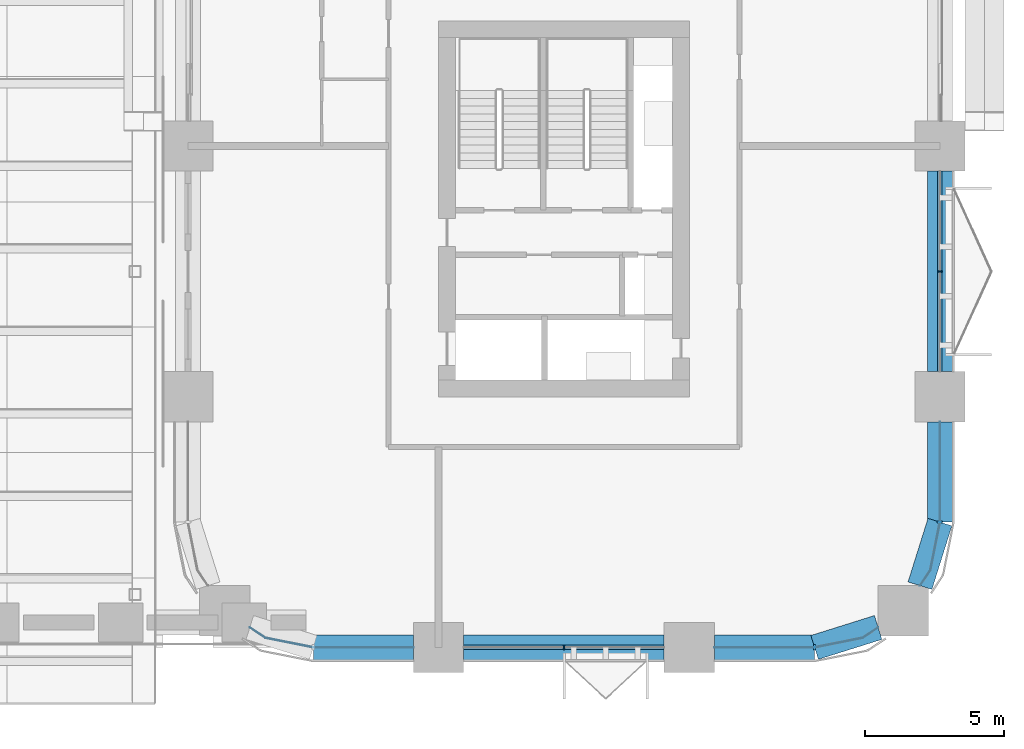
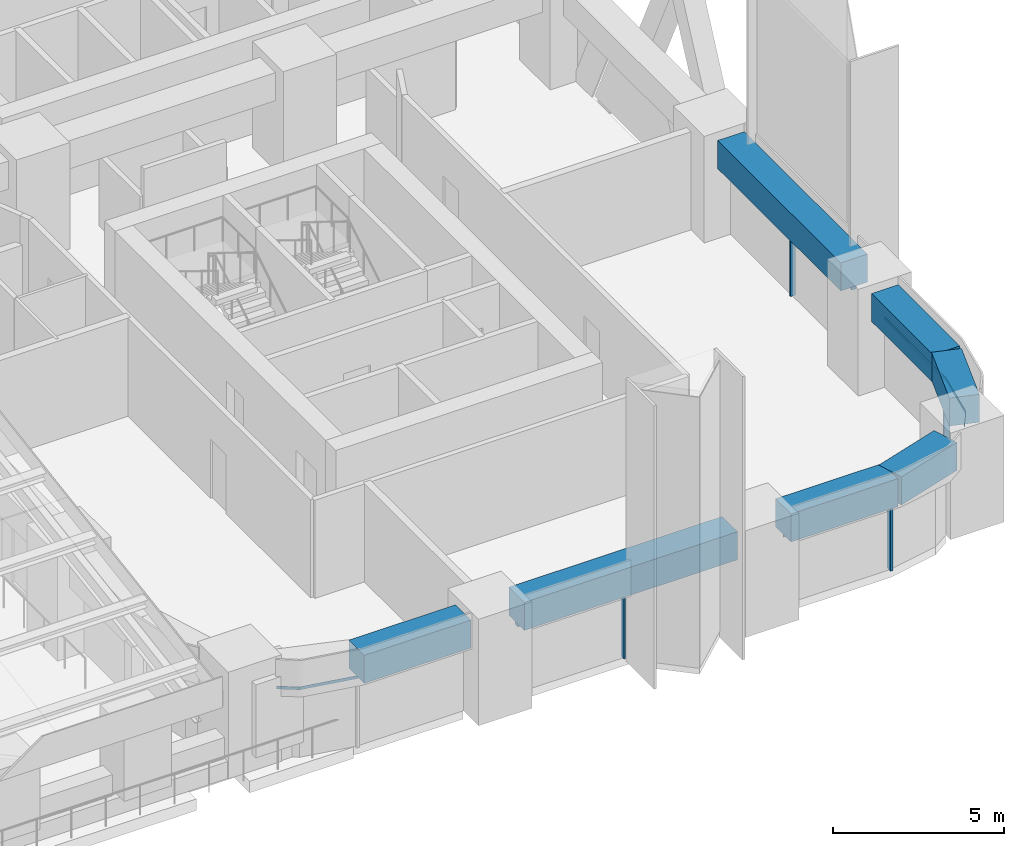
# One storey, part 4 of 22: 9 members, 7 beams, 5 elements without a shape of their own.
"""IFC4 building model written with IfcOpenShell, lengths in metres."""

from ifc_helpers import new_model, si_unit, direction, frame, origin, origin_2d, place, context, subcontext, project, spatial, polyline, rectangle, outline, extrude, material, material_profile, profile_set, type_object, element, aggregate, save


model = new_model("IFC4")

# Units and contexts
model_context = context("Model", 3, precision=1e-05, world=origin(), true_north=direction((0.0, 1.0)))
body_context = subcontext(model_context, "Body", "Model", "MODEL_VIEW")
ifc_project = project(units=[si_unit("LENGTHUNIT", "METRE"), si_unit("AREAUNIT", "SQUARE_METRE"), si_unit("VOLUMEUNIT", "CUBIC_METRE"), si_unit("PLANEANGLEUNIT", "RADIAN"), si_unit("MASSUNIT", "GRAM", prefix="KILO")], contexts=[model_context])

# Site, building, storey
site_placement = place(None, origin())
site = spatial("IfcSite", under=ifc_project, at=site_placement, CompositionType="ELEMENT")
building_placement = place(site_placement, origin())
building = spatial("IfcBuilding", under=site, at=building_placement, Name="Tessera Arch", CompositionType="ELEMENT")
storey_placement = place(building_placement, frame((0.0, 0.0, 77.800048828125)))
storey = spatial("IfcBuildingStorey", under=building, at=storey_placement, Name="L17", CompositionType="ELEMENT", Elevation=77.800048828125)

# Curtain wall, member
ifc_material_1 = material(Name="CW1 curtain wall")
curtain_wall_type_1 = type_object("IfcCurtainWallType", Name="CW1 curtain wall", PredefinedType="NOTDEFINED", material=ifc_material_1)
curtain_wall_1_placement = place(storey_placement, origin())
curtain_wall_1 = element("IfcCurtainWall", 1, at=curtain_wall_1_placement, inside=storey, type_object=curtain_wall_type_1, Name="CW1 curtain wall S0.27/1 L17", PredefinedType="NOTDEFINED")
ifc_material_2 = material(Name="Anodised aluminium pale metal", Category="aluminium")
ifc_material_profile_1 = material_profile(ifc_material_2, rectangle(XDim=0.159912109375, YDim=0.06005859375, at=origin_2d()), Name="AL 60x160")
ifc_profile_set_1 = profile_set([ifc_material_profile_1], Name="Anodised aluminium pale metal")
member_type_1 = type_object("IfcMemberType", Name="CW1 mullion", PredefinedType="MULLION", material=ifc_profile_set_1)
member_1_placement = place(storey_placement, frame((40.5, 0.0, 0.0), z_axis=(0.0, 0.0, 1.0), x_axis=(0.0, 1.0, 0.0)))
member_1 = element("IfcMember", 2, at=member_1_placement, type_object=member_type_1, Name="CW1 mullion S0.27/1 1", PredefinedType="MULLION", context=body_context, shape_type="SweptSolid", body=[
    extrude(rectangle(XDim=0.159912109375, YDim=0.06005859375, at=origin_2d()), origin(), (0.0, 0.0, 1.0), 2.39990234375),
])

curtain_wall_2_placement = place(storey_placement, origin())
curtain_wall_2 = element("IfcCurtainWall", 3, at=curtain_wall_2_placement, inside=storey, type_object=curtain_wall_type_1, Name="CW1 curtain wall E54.0/1 L17", PredefinedType="NOTDEFINED")
member_2_placement = place(storey_placement, frame((54.0, 13.5, 0.0), z_axis=(0.0, 0.0, 1.0), x_axis=(-1.0, 0.0, 0.0)))
member_2 = element("IfcMember", 4, at=member_2_placement, type_object=member_type_1, Name="CW1 mullion E54.0/1 1", PredefinedType="MULLION", context=body_context, shape_type="SweptSolid", body=[
    extrude(rectangle(XDim=0.159912109375, YDim=0.06005859375, at=origin_2d()), origin(), (0.0, 0.0, 1.0), 2.39990234375),
])

# Member
ifc_material_3 = material(Name="Anodised aluminium pale metal", Category="aluminium")
ifc_material_profile_2 = material_profile(ifc_material_3, rectangle(XDim=0.159912109375, YDim=0.10009765625, at=origin_2d()), Name="AL 160x100")
ifc_profile_set_2 = profile_set([ifc_material_profile_2], Name="Anodised aluminium pale metal")
member_type_2 = type_object("IfcMemberType", Name="CW1 transom", PredefinedType="USERDEFINED", material=ifc_profile_set_2)
member_3_placement = place(storey_placement, frame((36.89990234375, 0.0, 2.449951171875), z_axis=(1.0, 0.0, 0.0), x_axis=(0.0, 1.0, 0.0)))
member_3 = element("IfcMember", 5, at=member_3_placement, type_object=member_type_2, Name="CW1 transom S0.27/1 1.1", ObjectType="TRANSOM", PredefinedType="USERDEFINED", context=body_context, shape_type="SweptSolid", body=[
    extrude(rectangle(XDim=0.159912109375, YDim=0.10009765625, at=origin_2d()), origin(), (0.0, 0.0, 1.0), 7.2001953125),
])

aggregate(curtain_wall_1, [member_1, member_3])

member_4_placement = place(storey_placement, frame((54.0, 9.89990234375, 2.449951171875), z_axis=(0.0, 1.0, 0.0), x_axis=(-1.0, 0.0, 0.0)))
member_4 = element("IfcMember", 6, at=member_4_placement, type_object=member_type_2, Name="CW1 transom E54.0/1 1.1", ObjectType="TRANSOM", PredefinedType="USERDEFINED", context=body_context, shape_type="SweptSolid", body=[
    extrude(rectangle(XDim=0.159912109375, YDim=0.10009765625, at=origin_2d()), origin(), (0.0, 0.0, 1.0), 7.2001953125),
])

aggregate(curtain_wall_2, [member_2, member_4])

# Curtain wall, member
ifc_material_4 = material(Name="CW2 curtain wall")
curtain_wall_type_2 = type_object("IfcCurtainWallType", Name="CW2 curtain wall", PredefinedType="NOTDEFINED", material=ifc_material_4)
curtain_wall_3_placement = place(storey_placement, origin())
curtain_wall_3 = element("IfcCurtainWall", 7, at=curtain_wall_3_placement, inside=storey, type_object=curtain_wall_type_2, Name="CW2 curtain wall S0.27/2 L17", PredefinedType="NOTDEFINED")
ifc_material_5 = material(Name="Anodised aluminium pale metal", Category="aluminium")
ifc_material_profile_3 = material_profile(ifc_material_5, rectangle(XDim=0.199951171875, YDim=0.080078125, at=origin_2d()), Name="AL 80x200")
ifc_profile_set_3 = profile_set([ifc_material_profile_3], Name="Anodised aluminium pale metal")
member_type_3 = type_object("IfcMemberType", Name="CW2 mullion", PredefinedType="MULLION", material=ifc_profile_set_3)
member_5_placement = place(storey_placement, frame((49.5, 0.0, 0.0), z_axis=(0.0, 0.0, 1.0), x_axis=(0.0, 1.0, 0.0)))
member_5 = element("IfcMember", 8, at=member_5_placement, type_object=member_type_3, Name="CW2 mullion S0.27/2 1", PredefinedType="MULLION", context=body_context, shape_type="SweptSolid", body=[
    extrude(rectangle(XDim=0.199951171875, YDim=0.080078125, at=origin_2d()), origin(), (0.0, 0.0, 1.0), 2.39990234375),
])

curtain_wall_4_placement = place(storey_placement, origin())
curtain_wall_4 = element("IfcCurtainWall", 9, at=curtain_wall_4_placement, inside=storey, type_object=curtain_wall_type_2, Name="CW2 curtain wall E54.0/0 L17", PredefinedType="NOTDEFINED")
member_6_placement = place(storey_placement, frame((54.0, 4.5, 0.0), z_axis=(0.0, 0.0, 1.0), x_axis=(-1.0, 0.0, 0.0)))
member_6 = element("IfcMember", 10, at=member_6_placement, type_object=member_type_3, Name="CW2 mullion E54.0/0 1", PredefinedType="MULLION", context=body_context, shape_type="SweptSolid", body=[
    extrude(rectangle(XDim=0.199951171875, YDim=0.080078125, at=origin_2d()), origin(), (0.0, 0.0, 1.0), 2.39990234375),
])

curtain_wall_5_placement = place(storey_placement, origin())
curtain_wall_5 = element("IfcCurtainWall", 11, at=curtain_wall_5_placement, inside=storey, type_object=curtain_wall_type_2, Name="CW2 curtain wall S0.27/0 L17", PredefinedType="NOTDEFINED")
ifc_material_6 = material(Name="Anodised aluminium pale metal", Category="aluminium")
ifc_material_profile_4 = material_profile(ifc_material_6, rectangle(XDim=0.199951171875, YDim=0.10009765625, at=origin_2d()), Name="AL 200x100")
ifc_profile_set_4 = profile_set([ifc_material_profile_4], Name="Anodised aluminium pale metal")
member_type_4 = type_object("IfcMemberType", Name="CW2 transom", PredefinedType="USERDEFINED", material=ifc_profile_set_4)
member_7_placement = place(storey_placement, frame((0.0, 0.0, 2.39990234375)))
member_7 = element("IfcMember", 12, at=member_7_placement, type_object=member_type_4, Name="CW2 transom S0.27/0 1", ObjectType="TRANSOM", PredefinedType="USERDEFINED", context=body_context, shape_type="SweptSolid", body=[
    extrude(outline(polyline([(29.78173828125, 0.351806640625), (29.2236328125, 0.72509765625), (29.21240234375, 0.70849609375), (29.77392578125, 0.3330078125), (31.4990234375, -0.010009765625), (35.10009765625, -0.010009765625), (35.10009765625, 0.010009765625), (31.5009765625, 0.010009765625), (29.78173828125, 0.351806640625)])), origin(), (0.0, 0.0, 1.0), 0.10009765625),
])
aggregate(curtain_wall_5, [member_7])

# Member
member_8_placement = place(storey_placement, frame((0.0, 0.0, 2.39990234375)))
member_8 = element("IfcMember", 13, at=member_8_placement, type_object=member_type_4, Name="CW2 transom S0.27/2 1", ObjectType="TRANSOM", PredefinedType="USERDEFINED", context=body_context, shape_type="SweptSolid", body=[
    extrude(outline(polyline([(49.4990234375, 0.010009765625), (45.89990234375, 0.010009765625), (45.89990234375, -0.010009765625), (49.5009765625, -0.010009765625), (51.22607421875, 0.3330078125), (51.78759765625, 0.70849609375), (51.7763671875, 0.72509765625), (51.21826171875, 0.351806640625), (49.4990234375, 0.010009765625)])), origin(), (0.0, 0.0, 1.0), 0.10009765625),
])

aggregate(curtain_wall_3, [member_5, member_8])

member_9_placement = place(storey_placement, frame((0.0, 0.0, 2.39990234375)))
member_9 = element("IfcMember", 14, at=member_9_placement, type_object=member_type_4, Name="CW2 transom E54.0/0 1", ObjectType="TRANSOM", PredefinedType="USERDEFINED", context=body_context, shape_type="SweptSolid", body=[
    extrude(outline(polyline([(53.648193359375, 2.78173828125), (53.27490234375, 2.2236328125), (53.29150390625, 2.21240234375), (53.6669921875, 2.77392578125), (54.010009765625, 4.4990234375), (54.010009765625, 8.10009765625), (53.989990234375, 8.10009765625), (53.989990234375, 4.5009765625), (53.648193359375, 2.78173828125)])), origin(), (0.0, 0.0, 1.0), 0.10009765625),
])

aggregate(curtain_wall_4, [member_6, member_9])

# Beams
ifc_material_7 = material(Name="Concrete C80/95", Category="concrete")
ifc_material_profile_5 = material_profile(ifc_material_7, rectangle(XDim=0.89990234375, YDim=1.0, at=origin_2d()), Name="RC spandrel beam 900 x 1000 Concrete C80/95")
ifc_profile_set_5 = profile_set([ifc_material_profile_5], Name="Concrete C80/95")
beam_type = type_object("IfcBeamType", Name="RC spandrel beam 900 x 1000 Concrete C80/95", PredefinedType="BEAM", material=ifc_profile_set_5)
beam_1_placement = place(storey_placement, frame((31.5, 0.0, 3.0), z_axis=(1.0, 0.0, 0.0), x_axis=(0.0, 1.0, 0.0)))
element("IfcBeam", 15, at=beam_1_placement, inside=storey, type_object=beam_type, Name="Spandrel beam L17 S0.27/0.2", PredefinedType="BEAM", context=body_context, shape_type="SweptSolid", body=[
    extrude(rectangle(XDim=0.89990234375, YDim=1.0, at=origin_2d()), origin(), (0.0, 0.0, 1.0), 3.60009765625),
])
beam_2_placement = place(storey_placement, frame((36.89990234375, 0.0, 3.0), z_axis=(1.0, 0.0, 0.0), x_axis=(0.0, 1.0, 0.0)))
element("IfcBeam", 16, at=beam_2_placement, inside=storey, type_object=beam_type, Name="Spandrel beam L17 S0.27/1", PredefinedType="BEAM", context=body_context, shape_type="SweptSolid", body=[
    extrude(rectangle(XDim=0.89990234375, YDim=1.0, at=origin_2d()), origin(), (0.0, 0.0, 1.0), 7.2001953125),
])
beam_3_placement = place(storey_placement, frame((45.89990234375, 0.0, 3.0), z_axis=(1.0, 0.0, 0.0), x_axis=(0.0, 1.0, 0.0)))
element("IfcBeam", 17, at=beam_3_placement, inside=storey, type_object=beam_type, Name="Spandrel beam L17 S0.27/2.1", PredefinedType="BEAM", context=body_context, shape_type="SweptSolid", body=[
    extrude(rectangle(XDim=0.89990234375, YDim=1.0, at=origin_2d()), origin(), (0.0, 0.0, 1.0), 3.60009765625),
])
for number, where, z_axis, x_axis, name in (
    (18, (49.5, 0.0, 3.0), (0.954041251279, 0.299675309057, 0.0), (-0.299675309057, 0.954041251279, 0.0), "Spandrel beam L17 S0.27/2.2"),
    (19, (53.283203125, 2.218017578125, 3.0), (0.299675309057, 0.954041251279, 0.0), (-0.954041251279, 0.299675309057, 0.0), "Spandrel beam L17 E54.0/0.1"),
):
    element("IfcBeam", number, at=place(storey_placement, frame(where, z_axis=z_axis, x_axis=x_axis)), inside=storey, type_object=beam_type, Name=name, PredefinedType="BEAM", context=body_context, shape_type="SweptSolid", body=[
        extrude(rectangle(XDim=0.89990234375, YDim=1.0, at=origin_2d()), origin(), (0.0, 0.0, 1.0), 2.391845703125),
    ])
beam_4_placement = place(storey_placement, frame((54.0, 4.5, 3.0), z_axis=(0.0, 1.0, 0.0), x_axis=(-1.0, 0.0, 0.0)))
element("IfcBeam", 20, at=beam_4_placement, inside=storey, type_object=beam_type, Name="Spandrel beam L17 E54.0/0.2", PredefinedType="BEAM", context=body_context, shape_type="SweptSolid", body=[
    extrude(rectangle(XDim=0.89990234375, YDim=1.0, at=origin_2d()), origin(), (0.0, 0.0, 1.0), 3.60009765625),
])
beam_5_placement = place(storey_placement, frame((54.0, 9.89990234375, 3.0), z_axis=(0.0, 1.0, 0.0), x_axis=(-1.0, 0.0, 0.0)))
element("IfcBeam", 21, at=beam_5_placement, inside=storey, type_object=beam_type, Name="Spandrel beam L17 E54.0/1", PredefinedType="BEAM", context=body_context, shape_type="SweptSolid", body=[
    extrude(rectangle(XDim=0.89990234375, YDim=1.0, at=origin_2d()), origin(), (0.0, 0.0, 1.0), 7.2001953125),
])

save(model, "model.ifc")
